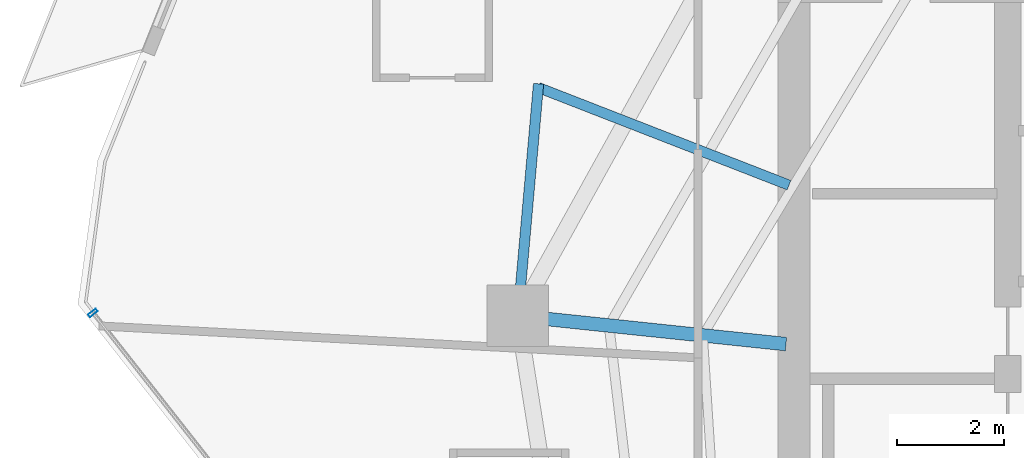
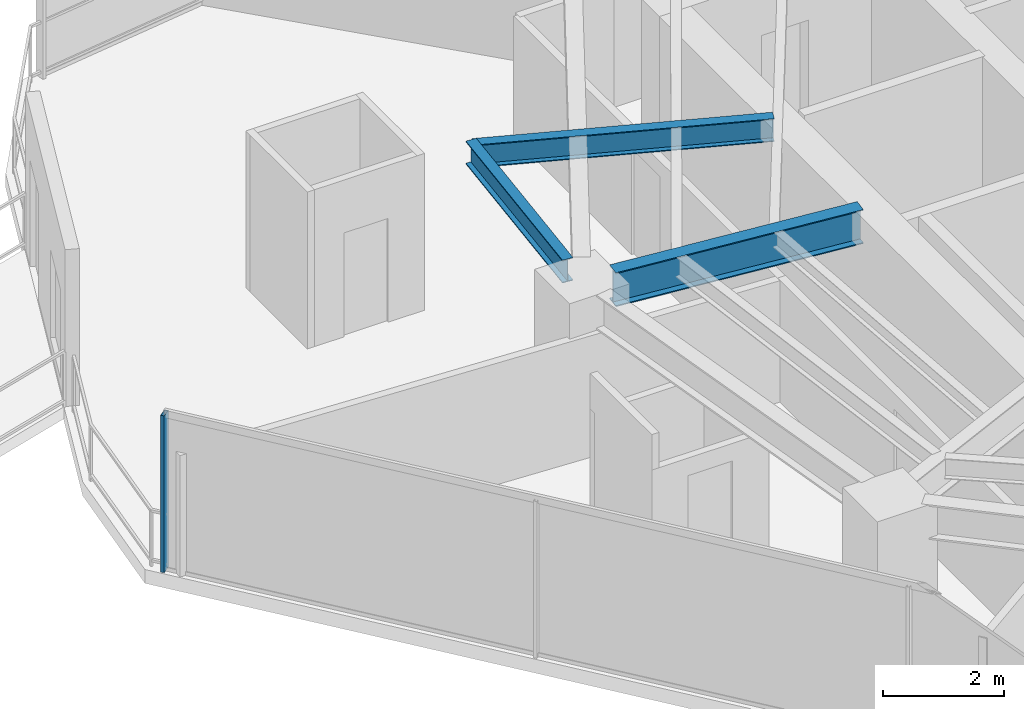
# One storey, part 8 of 29: 3 beams, 1 member, 1 element without a shape of its own.
"""IFC4 building model written with IfcOpenShell, lengths in metres."""

from ifc_helpers import new_model, si_unit, direction, frame, origin, origin_2d, place, context, subcontext, project, spatial, hollow_rectangle, i_section, extrude, material, layer, layer_set, material_profile, profile_set, type_object, element, aggregate, save


model = new_model("IFC4")

# Units and contexts
model_context = context("Model", 3, precision=1e-05, world=origin(), true_north=direction((0.0, 1.0)))
body_context = subcontext(model_context, "Body", "Model", "MODEL_VIEW")
ifc_project = project(units=[si_unit("LENGTHUNIT", "METRE"), si_unit("AREAUNIT", "SQUARE_METRE"), si_unit("VOLUMEUNIT", "CUBIC_METRE"), si_unit("PLANEANGLEUNIT", "RADIAN"), si_unit("MASSUNIT", "GRAM", prefix="KILO")], contexts=[model_context])

# Site, building, storey
site_placement = place(None, origin())
site = spatial("IfcSite", under=ifc_project, at=site_placement, CompositionType="ELEMENT")
building_placement = place(site_placement, origin())
building = spatial("IfcBuilding", under=site, at=building_placement, Name="Qarnah Convention Tower", CompositionType="ELEMENT")
storey_placement = place(building_placement, frame((0.0, 0.0, 97.050048828125)))
storey = spatial("IfcBuildingStorey", under=building, at=storey_placement, Name="L25", CompositionType="ELEMENT", Elevation=97.050048828125)

# Beams
ifc_material_1 = material(Name="Structural steel S355JR", Category="steel")
ifc_material_profile_1 = material_profile(ifc_material_1, i_section(OverallWidth=0.19189453125, OverallDepth=0.464111328125, WebThickness=0.010986328125, FlangeThickness=0.01806640625, at=origin_2d()), Name="W460X89")
ifc_profile_set_1 = profile_set([ifc_material_profile_1], Name="Structural steel S355JR")
beam_type_1 = type_object("IfcBeamType", Name="BM-CANT-W460A", PredefinedType="BEAM", material=ifc_profile_set_1)
beam_1_placement = place(storey_placement, frame((26.70703125, 30.48291015625, 2.93798828125), z_axis=(-0.93184170275, 0.362865045183, 0.0), x_axis=(-0.362865045183, -0.93184170275, 0.0)))
element("IfcBeam", 1, at=beam_1_placement, inside=storey, type_object=beam_type_1, Name="L25 beam BM-L25-CNT-02-1", PredefinedType="BEAM", context=body_context, shape_type="SweptSolid", body=[
    extrude(i_section(OverallWidth=0.19189453125, OverallDepth=0.464111328125, WebThickness=0.010986328125, FlangeThickness=0.01806640625, at=origin_2d()), origin(), (0.0, 0.0, 1.0), 5.035400390625),
])
beam_2_placement = place(storey_placement, frame((22.02099609375, 32.3798828125, 2.93798828125), z_axis=(-0.088250477094, -0.996098315074, 0.0), x_axis=(0.996098315074, -0.088250477094, 0.0)))
element("IfcBeam", 2, at=beam_2_placement, inside=storey, type_object=beam_type_1, Name="L25 spandrel BM-L25-CTIE-02", PredefinedType="SPANDREL", context=body_context, shape_type="SweptSolid", body=[
    extrude(i_section(OverallWidth=0.19189453125, OverallDepth=0.464111328125, WebThickness=0.010986328125, FlangeThickness=0.01806640625, at=origin_2d()), origin(), (0.0, 0.0, 1.0), 3.795654296875),
])
ifc_material_profile_2 = material_profile(ifc_material_1, i_section(OverallWidth=0.25390625, OverallDepth=0.68798828125, WebThickness=0.012939453125, FlangeThickness=0.02099609375, at=origin_2d()), Name="W690X152")
ifc_profile_set_2 = profile_set([ifc_material_profile_2], Name="Structural steel S355JR")
beam_type_2 = type_object("IfcBeamType", Name="BM-RAD-W690", PredefinedType="BEAM", material=ifc_profile_set_2)
beam_3_placement = place(storey_placement, frame((26.65087890625, 27.509033203125, 2.825927734375), z_axis=(-0.994523622606, 0.104512028393, 0.0), x_axis=(-0.104512028393, -0.994523622606, 0.0)))
element("IfcBeam", 3, at=beam_3_placement, inside=storey, type_object=beam_type_2, Name="L25 beam BM-L25-RAD-05", PredefinedType="BEAM", context=body_context, shape_type="SweptSolid", body=[
    extrude(i_section(OverallWidth=0.25390625, OverallDepth=0.68798828125, WebThickness=0.012939453125, FlangeThickness=0.02099609375, at=origin_2d()), origin(), (0.0, 0.0, 1.0), 4.487548828125),
])

# Curtain wall, member
ifc_material_2 = material(Name="Tempered Low-E dark glass", Category="glass")
ifc_layer = layer(ifc_material_2, 0.169921875)
ifc_layer_set = layer_set([ifc_layer], Name="Tempered Low-E dark glass")
curtain_wall_type = type_object("IfcCurtainWallType", Name="CWS-02", PredefinedType="NOTDEFINED", material=ifc_layer_set)
curtain_wall_placement = place(storey_placement, origin())
curtain_wall = element("IfcCurtainWall", 4, at=curtain_wall_placement, inside=storey, type_object=curtain_wall_type, Name="L25 unitised curtain wall CW-L25-F3", PredefinedType="NOTDEFINED")
ifc_material_3 = material(Name="Black anodised aluminium", Category="aluminium")
ifc_material_profile_3 = material_profile(ifc_material_3, hollow_rectangle(XDim=0.06494140625, YDim=0.179931640625, WallThickness=0.00390625, at=origin_2d()), Name="MUL-65X180")
ifc_profile_set_3 = profile_set([ifc_material_profile_3], Name="Black anodised aluminium")
member_type = type_object("IfcMemberType", Name="MUL-T2", PredefinedType="MULLION", material=ifc_profile_set_3)
member_placement = place(storey_placement, frame((13.681884765625, 28.093017578125, 0.0), z_axis=(0.0, 0.0, 1.0), x_axis=(-0.617870701473, 0.786279718841, 0.0)))
member = element("IfcMember", 5, at=member_placement, type_object=member_type, Name="CW-L25-F3 mullion 6", PredefinedType="MULLION", context=body_context, shape_type="SweptSolid", body=[
    extrude(hollow_rectangle(XDim=0.06494140625, YDim=0.179931640625, WallThickness=0.00390625, at=origin_2d()), origin(), (0.0, 0.0, 1.0), 3.169921875),
])
aggregate(curtain_wall, [member])

save(model, "model.ifc")
